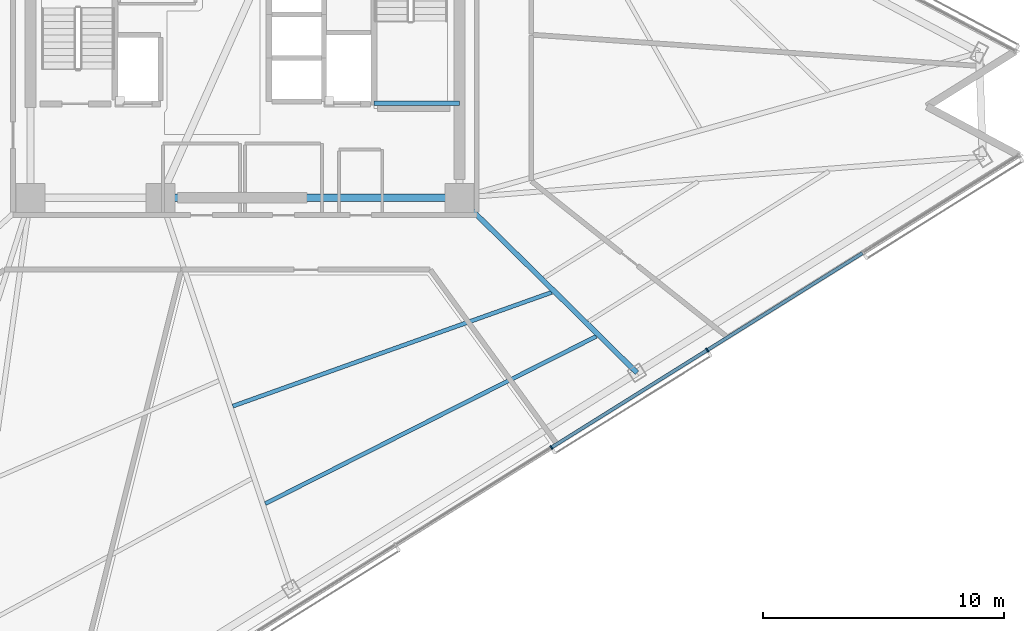
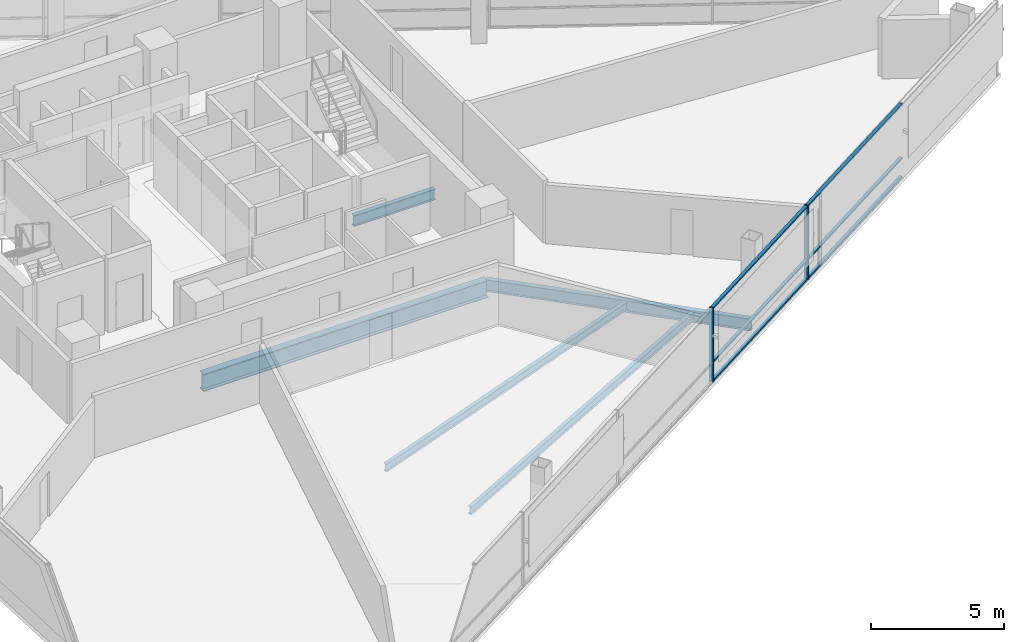
# One storey, part 5 of 21: 8 members, 5 beams, 1 element without a shape of its own.
"""IFC4 building model written with IfcOpenShell, lengths in metres."""

from ifc_helpers import new_model, si_unit, direction, frame, origin, origin_2d, place, context, subcontext, project, spatial, rectangle, i_section, extrude, material, layer, layer_set, material_profile, profile_set, type_object, element, aggregate, save


model = new_model("IFC4")

# Units and contexts
model_context = context("Model", 3, precision=1e-05, world=origin(), true_north=direction((0.0, 1.0)))
body_context = subcontext(model_context, "Body", "Model", "MODEL_VIEW")
ifc_project = project(units=[si_unit("LENGTHUNIT", "METRE"), si_unit("AREAUNIT", "SQUARE_METRE"), si_unit("VOLUMEUNIT", "CUBIC_METRE"), si_unit("PLANEANGLEUNIT", "RADIAN"), si_unit("MASSUNIT", "GRAM", prefix="KILO")], contexts=[model_context])

# Site, building, storey
site_placement = place(None, origin())
site = spatial("IfcSite", under=ifc_project, at=site_placement, CompositionType="ELEMENT")
building_placement = place(site_placement, origin())
building = spatial("IfcBuilding", under=site, at=building_placement, Name="Tharavind Bronze Gate", CompositionType="ELEMENT")
storey_placement = place(building_placement, frame((0.0, 0.0, 142.39990234375)))
storey = spatial("IfcBuildingStorey", under=building, at=storey_placement, Name="L36", CompositionType="ELEMENT", Elevation=142.39990234375)

# Curtain wall, members
ifc_material_1 = material(Name="Anodised Bronze Aluminium", Category="aluminium")
ifc_layer = layer(ifc_material_1, 0.219970703125)
ifc_layer_set = layer_set([ifc_layer], Name="Anodised Bronze Aluminium")
curtain_wall_type = type_object("IfcCurtainWallType", Name="UNITISED CURTAIN WALL MID OFFICE", PredefinedType="USERDEFINED", material=ifc_layer_set)
curtain_wall_placement = place(storey_placement, origin())
curtain_wall = element("IfcCurtainWall", 1, at=curtain_wall_placement, inside=storey, type_object=curtain_wall_type, Name="L36 unitised curtain wall mid office CW-L36-S2", ObjectType="UNITISED CURTAIN WALL", PredefinedType="USERDEFINED")
member_type_1 = type_object("IfcMemberType", Name="CURTAIN WALL BRONZE MULLION 65X180", PredefinedType="MULLION", material=ifc_material_1)
member_1_placement = place(storey_placement, frame((12.71826171875, -17.960205078125, 0.0), z_axis=(0.0, 0.0, 1.0), x_axis=(0.848048096156, 0.529919264233, 0.0)))
member_1 = element("IfcMember", 2, at=member_1_placement, type_object=member_type_1, Name="CW-L36-S2 mullion 5", PredefinedType="MULLION", context=body_context, shape_type="SweptSolid", body=[
    extrude(rectangle(XDim=0.06494140625, YDim=0.179931640625, at=origin_2d()), origin(), (0.0, 0.0, 1.0), 3.409912109375),
])
member_2_placement = place(storey_placement, frame((19.18359375, -13.919921875, 0.0), z_axis=(0.0, 0.0, 1.0), x_axis=(0.848048096156, 0.529919264233, 0.0)))
member_2 = element("IfcMember", 3, at=member_2_placement, type_object=member_type_1, Name="CW-L36-S2 mullion 6", PredefinedType="MULLION", context=body_context, shape_type="SweptSolid", body=[
    extrude(rectangle(XDim=0.06494140625, YDim=0.179931640625, at=origin_2d()), origin(), (0.0, 0.0, 1.0), 3.409912109375),
])
member_type_2 = type_object("IfcMemberType", Name="CURTAIN WALL BRONZE TRANSOM 65X140", PredefinedType="USERDEFINED", material=ifc_material_1)
member_3_placement = place(storey_placement, frame((15.950927734375, -15.93994140625, 0.000244140625), z_axis=(0.0, 0.0, 1.0), x_axis=(0.848048096156, 0.529919264233, 0.0)))
member_3 = element("IfcMember", 4, at=member_3_placement, type_object=member_type_2, Name="CW-L36-S2 transom TB5", ObjectType="TRANSOM", PredefinedType="USERDEFINED", context=body_context, shape_type="SweptSolid", body=[
    extrude(rectangle(XDim=7.57080078125, YDim=0.139892578125, at=origin_2d()), origin(), (0.0, 0.0, 1.0), 0.06494140625),
])
member_4_placement = place(storey_placement, frame((15.950927734375, -15.93994140625, 0.86767578125), z_axis=(0.0, 0.0, 1.0), x_axis=(0.848048096156, 0.529919264233, 0.0)))
member_4 = element("IfcMember", 5, at=member_4_placement, type_object=member_type_2, Name="CW-L36-S2 transom TS5", ObjectType="TRANSOM", PredefinedType="USERDEFINED", context=body_context, shape_type="SweptSolid", body=[
    extrude(rectangle(XDim=7.57080078125, YDim=0.139892578125, at=origin_2d()), origin(), (0.0, 0.0, 1.0), 0.06494140625),
])
member_5_placement = place(storey_placement, frame((15.950927734375, -15.93994140625, 3.34521484375), z_axis=(0.0, 0.0, 1.0), x_axis=(0.848048096156, 0.529919264233, 0.0)))
member_5 = element("IfcMember", 6, at=member_5_placement, type_object=member_type_2, Name="CW-L36-S2 transom TT5", ObjectType="TRANSOM", PredefinedType="USERDEFINED", context=body_context, shape_type="SweptSolid", body=[
    extrude(rectangle(XDim=7.57080078125, YDim=0.139892578125, at=origin_2d()), origin(), (0.0, 0.0, 1.0), 0.06494140625),
])
member_6_placement = place(storey_placement, frame((22.41650390625, -11.89990234375, 0.000244140625), z_axis=(0.0, 0.0, 1.0), x_axis=(0.848048096156, 0.529919264233, 0.0)))
member_6 = element("IfcMember", 7, at=member_6_placement, type_object=member_type_2, Name="CW-L36-S2 transom TB6", ObjectType="TRANSOM", PredefinedType="USERDEFINED", context=body_context, shape_type="SweptSolid", body=[
    extrude(rectangle(XDim=7.57080078125, YDim=0.139892578125, at=origin_2d()), origin(), (0.0, 0.0, 1.0), 0.06494140625),
])
member_7_placement = place(storey_placement, frame((22.41650390625, -11.89990234375, 0.86767578125), z_axis=(0.0, 0.0, 1.0), x_axis=(0.848048096156, 0.529919264233, 0.0)))
member_7 = element("IfcMember", 8, at=member_7_placement, type_object=member_type_2, Name="CW-L36-S2 transom TS6", ObjectType="TRANSOM", PredefinedType="USERDEFINED", context=body_context, shape_type="SweptSolid", body=[
    extrude(rectangle(XDim=7.57080078125, YDim=0.139892578125, at=origin_2d()), origin(), (0.0, 0.0, 1.0), 0.06494140625),
])
member_8_placement = place(storey_placement, frame((22.41650390625, -11.89990234375, 3.34521484375), z_axis=(0.0, 0.0, 1.0), x_axis=(0.848048096156, 0.529919264233, 0.0)))
member_8 = element("IfcMember", 9, at=member_8_placement, type_object=member_type_2, Name="CW-L36-S2 transom TT6", ObjectType="TRANSOM", PredefinedType="USERDEFINED", context=body_context, shape_type="SweptSolid", body=[
    extrude(rectangle(XDim=7.57080078125, YDim=0.139892578125, at=origin_2d()), origin(), (0.0, 0.0, 1.0), 0.06494140625),
])
aggregate(curtain_wall, [member_1, member_2, member_3, member_4, member_5, member_6, member_7, member_8])

# Beams
ifc_material_2 = material(Name="Steel S355", Category="steel")
ifc_material_profile_1 = material_profile(ifc_material_2, i_section(OverallWidth=0.199951171875, OverallDepth=0.5, WebThickness=0.01025390625, FlangeThickness=0.01611328125, at=origin_2d()), Name="IPE500")
ifc_profile_set_1 = profile_set([ifc_material_profile_1], Name="Steel S355")
beam_type_1 = type_object("IfcBeamType", Name="PRIMARY GIRDER IPE500", PredefinedType="USERDEFINED", material=ifc_profile_set_1)
beam_1_placement = place(storey_placement, frame((5.35009765625, -3.679931640625, 1.35009765625), z_axis=(1.0, 0.0, 0.0), x_axis=(0.0, 1.0, 0.0)))
element("IfcBeam", 10, at=beam_1_placement, inside=storey, type_object=beam_type_1, Name="L36 primary girder ipe500 BM-LD-ST2-L36-1", ObjectType="GIRDER", PredefinedType="USERDEFINED", context=body_context, shape_type="SweptSolid", body=[
    extrude(i_section(OverallWidth=0.199951171875, OverallDepth=0.5, WebThickness=0.01025390625, FlangeThickness=0.01611328125, at=origin_2d()), origin(), (0.0, 0.0, 1.0), 3.5498046875),
])
ifc_material_profile_2 = material_profile(ifc_material_2, i_section(OverallWidth=0.2099609375, OverallDepth=0.550048828125, WebThickness=0.010986328125, FlangeThickness=0.01708984375, at=origin_2d()), Name="IPE550")
ifc_profile_set_2 = profile_set([ifc_material_profile_2], Name="Steel S355")
beam_type_2 = type_object("IfcBeamType", Name="PRIMARY GIRDER IPE550", PredefinedType="USERDEFINED", material=ifc_profile_set_2)
beam_2_placement = place(storey_placement, frame((16.263916015625, -14.860107421875, -0.46484375), z_axis=(-0.712117612056, 0.702060187306, 0.0), x_axis=(-0.702060187306, -0.712117612056, 0.0)))
element("IfcBeam", 11, at=beam_2_placement, inside=storey, type_object=beam_type_2, Name="L36 primary girder ipe550 BM-L36-RAD07", ObjectType="GIRDER", PredefinedType="USERDEFINED", context=body_context, shape_type="SweptSolid", body=[
    extrude(i_section(OverallWidth=0.2099609375, OverallDepth=0.550048828125, WebThickness=0.010986328125, FlangeThickness=0.01708984375, at=origin_2d()), origin(), (0.0, 0.0, 1.0), 10.341064453125),
])
ifc_material_profile_3 = material_profile(ifc_material_2, i_section(OverallWidth=0.300048828125, OverallDepth=0.800048828125, WebThickness=0.017578125, FlangeThickness=0.032958984375, at=origin_2d()), Name="HE800B")
ifc_profile_set_3 = profile_set([ifc_material_profile_3], Name="Steel S355")
beam_type_3 = type_object("IfcBeamType", Name="RING GIRDER HE800B", PredefinedType="USERDEFINED", material=ifc_profile_set_3)
beam_3_placement = place(storey_placement, frame((-3.5, -7.60009765625, -0.58984375), z_axis=(1.0, 0.0, 0.0), x_axis=(0.0, 1.0, 0.0)))
element("IfcBeam", 12, at=beam_3_placement, inside=storey, type_object=beam_type_3, Name="L36 ring girder he800b BM-L36-CR2", ObjectType="GIRDER", PredefinedType="USERDEFINED", context=body_context, shape_type="SweptSolid", body=[
    extrude(i_section(OverallWidth=0.300048828125, OverallDepth=0.800048828125, WebThickness=0.017578125, FlangeThickness=0.032958984375, at=origin_2d()), origin(), (0.0, 0.0, 1.0), 12.39990234375),
])
ifc_material_profile_4 = material_profile(ifc_material_2, i_section(OverallWidth=0.169921875, OverallDepth=0.360107421875, WebThickness=0.008056640625, FlangeThickness=0.0126953125, at=origin_2d()), Name="IPE360")
ifc_profile_set_4 = profile_set([ifc_material_profile_4], Name="Steel S355")
beam_type_4 = type_object("IfcBeamType", Name="SECONDARY FLOOR JOIST IPE360", PredefinedType="JOIST", material=ifc_profile_set_4)
beam_4_placement = place(storey_placement, frame((-0.501708984375, -16.245361328125, -0.369873046875), z_axis=(0.941820934354, 0.336115051156, 0.0), x_axis=(-0.336115051156, 0.941820934354, 0.0)))
element("IfcBeam", 13, at=beam_4_placement, inside=storey, type_object=beam_type_4, Name="L36 secondary floor joist ipe360 BM-L36-JSTA06", PredefinedType="JOIST", context=body_context, shape_type="SweptSolid", body=[
    extrude(i_section(OverallWidth=0.169921875, OverallDepth=0.360107421875, WebThickness=0.008056640625, FlangeThickness=0.0126953125, at=origin_2d()), origin(), (0.0, 0.0, 1.0), 14.044921875),
])
beam_5_placement = place(storey_placement, frame((0.846923828125, -20.289306640625, -0.369873046875), z_axis=(0.89252439558, 0.450999116733, 0.0), x_axis=(-0.450999116733, 0.89252439558, 0.0)))
element("IfcBeam", 14, at=beam_5_placement, inside=storey, type_object=beam_type_4, Name="L36 secondary floor joist ipe360 BM-L36-JSTB06", PredefinedType="JOIST", context=body_context, shape_type="SweptSolid", body=[
    extrude(i_section(OverallWidth=0.169921875, OverallDepth=0.360107421875, WebThickness=0.008056640625, FlangeThickness=0.0126953125, at=origin_2d()), origin(), (0.0, 0.0, 1.0), 15.384765625),
])

save(model, "model.ifc")
